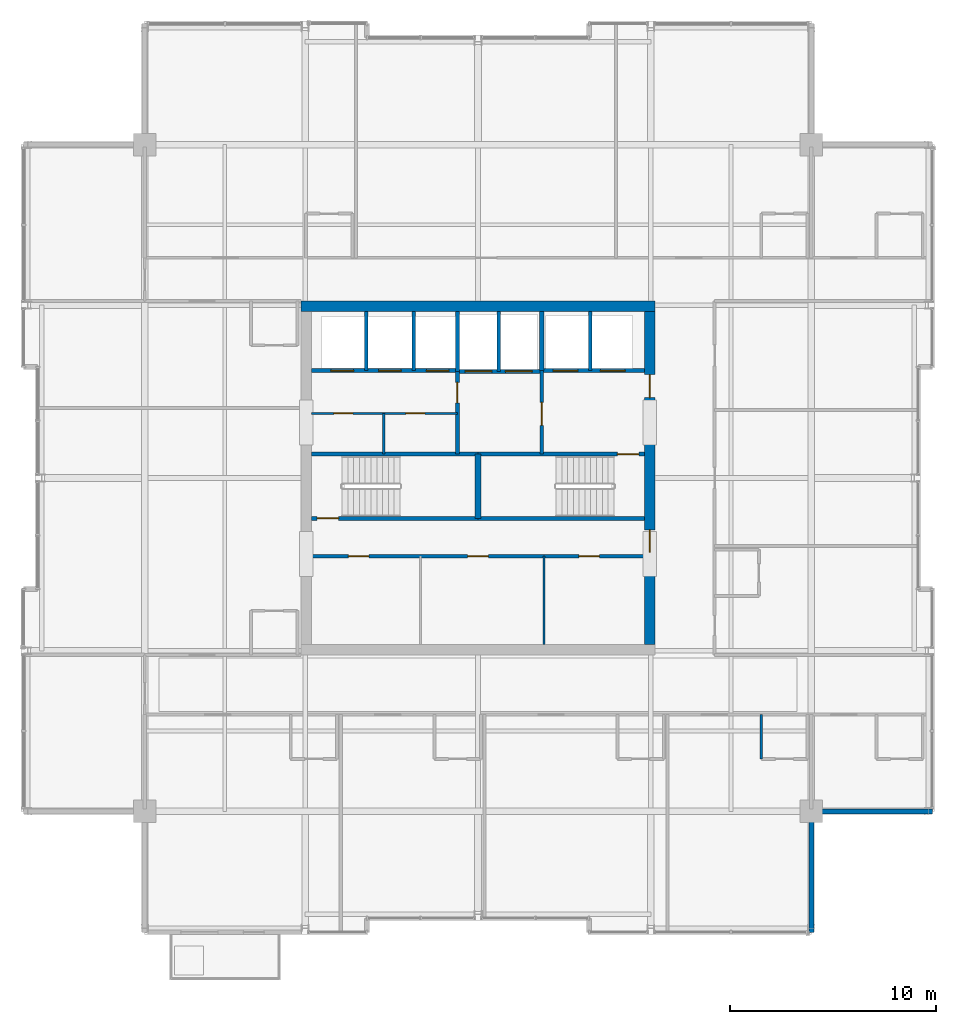
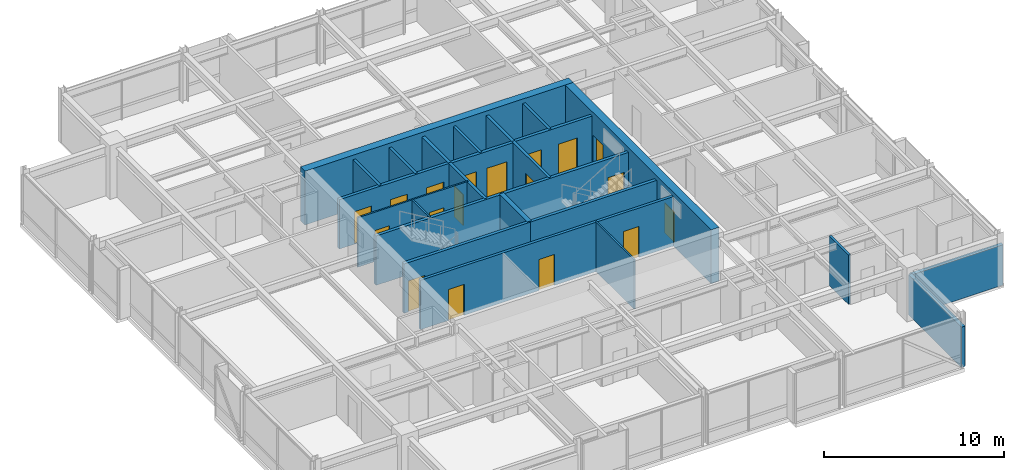
# One storey, part 29 of 34: 25 walls, 18 doors, 18 openings.
"""IFC4 building model written with IfcOpenShell, lengths in metres."""

from ifc_helpers import new_model, si_unit, direction, frame, frame_2d, origin, place, context, subcontext, project, spatial, rectangle, extrude, material, layer, layer_set, type_object, element, fill, save


model = new_model("IFC4")

# Units and contexts
model_context = context("Model", 3, precision=1e-05, world=origin(), true_north=direction((0.0, 1.0)))
body_context = subcontext(model_context, "Body", "Model", "MODEL_VIEW")
ifc_project = project(units=[si_unit("LENGTHUNIT", "METRE"), si_unit("AREAUNIT", "SQUARE_METRE"), si_unit("VOLUMEUNIT", "CUBIC_METRE"), si_unit("PLANEANGLEUNIT", "RADIAN"), si_unit("MASSUNIT", "GRAM", prefix="KILO")], contexts=[model_context])

# Site, building, storey
site_placement = place(None, origin())
site = spatial("IfcSite", under=ifc_project, at=site_placement, CompositionType="ELEMENT")
building_placement = place(site_placement, origin())
building = spatial("IfcBuilding", under=site, at=building_placement, Name="Drelvath Grand Hotel", CompositionType="ELEMENT")
storey_placement = place(building_placement, frame((0.0, 0.0, 290.550048828125)))
storey = spatial("IfcBuildingStorey", under=building, at=storey_placement, Name="L76", CompositionType="ELEMENT", Elevation=290.550048828125)

# Wall, openings, doors
ifc_material_1 = material(Name="Gypsum Partition Board")
ifc_layer_1 = layer(ifc_material_1, 0.10009765625)
ifc_layer_set_1 = layer_set([ifc_layer_1], Name="Gypsum Partition Board")
wall_type_1 = type_object("IfcWallType", Name="Core Closet Partition 100", PredefinedType="PARTITIONING", material=ifc_layer_set_1)
wall_1_placement = place(storey_placement, frame((-8.10009765625, 30.139892578125, 0.0), z_axis=(0.0, 0.0, 1.0), x_axis=(1.0, 0.0, 0.0)))
wall_1 = element("IfcWall", 1, at=wall_1_placement, inside=storey, type_object=wall_type_1, Name="L76 High-Rise Lobby Closet Wall", PredefinedType="PARTITIONING", context=body_context, shape_type="SweptSolid", body=[
    extrude(rectangle(XDim=7.10009765625, YDim=0.10009765625, at=frame_2d((3.550048828125, 0.0))), origin(), (0.0, 0.0, 1.0), 3.349853515625),
])
opening_1_placement = place(wall_1_placement, frame((1.10009765625, 0.0, 0.0)))
opening_1 = element("IfcOpeningElement", 2, at=opening_1_placement, cuts=wall_1, Name="Opening D-T5G3-013", PredefinedType="OPENING", context=body_context, shape_type="SweptSolid", body=[
    extrude(rectangle(XDim=0.919921875, YDim=2.10009765625, at=frame_2d((0.4599609375, 1.050048828125))), frame((0.0, 0.06005859375, 0.0), z_axis=(0.0, -1.0, 0.0), x_axis=(1.0, 0.0, 0.0)), (0.0, 0.0, 1.0), 0.1201171875),
])
opening_2_placement = place(wall_1_placement, frame((4.60009765625, 0.0, 0.0)))
opening_2 = element("IfcOpeningElement", 3, at=opening_2_placement, cuts=wall_1, Name="Opening D-T5G3-014", PredefinedType="OPENING", context=body_context, shape_type="SweptSolid", body=[
    extrude(rectangle(XDim=0.919921875, YDim=2.10009765625, at=frame_2d((0.4599609375, 1.050048828125))), frame((0.0, 0.06005859375, 0.0), z_axis=(0.0, -1.0, 0.0), x_axis=(1.0, 0.0, 0.0)), (0.0, 0.0, 1.0), 0.1201171875),
])
ifc_material_2 = material(Name="Painted Steel S275", Category="steel")
door_type_1 = type_object("IfcDoorType", Name="Staff Utility Door 920x2100", OperationType="NOTDEFINED", PredefinedType="DOOR", material=ifc_material_2)
door_1_placement = place(opening_1_placement, origin())
door_1 = element("IfcDoor", 4, at=door_1_placement, inside=storey, type_object=door_type_1, Name="L76 Electrical Closet Door", OperationType="SINGLE_SWING_RIGHT", OverallHeight=2.10009765625, OverallWidth=0.919921875, PredefinedType="DOOR", context=body_context, shape_type="SweptSolid", body=[
    extrude(rectangle(XDim=0.919921875, YDim=2.10009765625, at=frame_2d((0.4599609375, 1.050048828125))), frame((0.0, 0.02490234375, 0.0), z_axis=(0.0, -1.0, 0.0), x_axis=(1.0, 0.0, 0.0)), (0.0, 0.0, 1.0), 0.050048828125),
])
fill(opening_1, door_1)
door_2_placement = place(opening_2_placement, origin())
door_2 = element("IfcDoor", 5, at=door_2_placement, inside=storey, type_object=door_type_1, Name="L76 Telecom Room Door", OperationType="SINGLE_SWING_LEFT", OverallHeight=2.10009765625, OverallWidth=0.919921875, PredefinedType="DOOR", context=body_context, shape_type="SweptSolid", body=[
    extrude(rectangle(XDim=0.919921875, YDim=2.10009765625, at=frame_2d((0.4599609375, 1.050048828125))), frame((0.0, 0.02490234375, 0.0), z_axis=(0.0, -1.0, 0.0), x_axis=(1.0, 0.0, 0.0)), (0.0, 0.0, 1.0), 0.050048828125),
])
fill(opening_2, door_2)

# Walls
wall_2_placement = place(storey_placement, frame((-4.580078125, 28.159912109375, 0.0), z_axis=(0.0, 0.0, 1.0), x_axis=(0.0, 1.0, 0.0)))
element("IfcWall", 6, at=wall_2_placement, inside=storey, type_object=wall_type_1, Name="L76 Core Closet Split 1", PredefinedType="PARTITIONING", context=body_context, shape_type="SweptSolid", body=[
    extrude(rectangle(XDim=1.97998046875, YDim=0.10009765625, at=frame_2d((0.989990234375, 0.0))), origin(), (0.0, 0.0, 1.0), 3.349853515625),
])
wall_3_placement = place(storey_placement, frame((3.199951171875, 18.89990234375, 0.0), z_axis=(0.0, 0.0, 1.0), x_axis=(0.0, 1.0, 0.0)))
element("IfcWall", 7, at=wall_3_placement, inside=storey, type_object=wall_type_1, Name="L76 Upper Core Split 1B", PredefinedType="PARTITIONING", context=body_context, shape_type="SweptSolid", body=[
    extrude(rectangle(XDim=4.300048828125, YDim=0.10009765625, at=frame_2d((2.14990234375, 0.0))), origin(), (0.0, 0.0, 1.0), 3.349853515625),
])

# Wall, openings, doors
ifc_material_3 = material(Name="Concrete C40/50", Category="concrete")
ifc_layer_2 = layer(ifc_material_3, 0.199951171875)
ifc_layer_set_2 = layer_set([ifc_layer_2], Name="Concrete C40/50")
wall_type_2 = type_object("IfcWallType", Name="Core Hoistway Fire Wall 200", PredefinedType="SOLIDWALL", material=ifc_layer_set_2)
wall_4_placement = place(storey_placement, frame((3.10009765625, 32.219970703125, 0.0), z_axis=(0.0, 0.0, 1.0), x_axis=(1.0, 0.0, 0.0)))
wall_4 = element("IfcWall", 8, at=wall_4_placement, inside=storey, type_object=wall_type_2, Name="L76 FSAE Hoistway Front Wall", PredefinedType="SOLIDWALL", context=body_context, shape_type="SweptSolid", body=[
    extrude(rectangle(XDim=5.0, YDim=0.199951171875, at=frame_2d((2.5, 0.0))), origin(), (0.0, 0.0, 1.0), 3.349853515625),
])
opening_3_placement = place(wall_4_placement, frame((0.550048828125, 0.0, 0.0)))
opening_3 = element("IfcOpeningElement", 9, at=opening_3_placement, cuts=wall_4, Name="Opening LD-FSAE-1", PredefinedType="OPENING", context=body_context, shape_type="SweptSolid", body=[
    extrude(rectangle(XDim=1.199951171875, YDim=2.199951171875, at=frame_2d((0.60009765625, 1.10009765625))), frame((0.0, 0.10986328125, 0.0), z_axis=(0.0, -1.0, 0.0), x_axis=(1.0, 0.0, 0.0)), (0.0, 0.0, 1.0), 0.219970703125),
])
opening_4_placement = place(wall_4_placement, frame((2.85009765625, 0.0, 0.0)))
opening_4 = element("IfcOpeningElement", 10, at=opening_4_placement, cuts=wall_4, Name="Opening LD-FSAE-2", PredefinedType="OPENING", context=body_context, shape_type="SweptSolid", body=[
    extrude(rectangle(XDim=1.199951171875, YDim=2.199951171875, at=frame_2d((0.60009765625, 1.10009765625))), frame((0.0, 0.10986328125, 0.0), z_axis=(0.0, -1.0, 0.0), x_axis=(1.0, 0.0, 0.0)), (0.0, 0.0, 1.0), 0.219970703125),
])
ifc_material_4 = material(Name="Stainless Steel S355", Category="steel")
door_type_2 = type_object("IfcDoorType", Name="FSAE Lift Sliding Landing Door 1200x2200", OperationType="NOTDEFINED", PredefinedType="DOOR", material=ifc_material_4)
door_3_placement = place(opening_3_placement, origin())
door_3 = element("IfcDoor", 11, at=door_3_placement, inside=storey, type_object=door_type_2, Name="L76 Lift FSAE-1 Landing Door", OperationType="SLIDING_TO_LEFT", OverallHeight=2.199951171875, OverallWidth=1.199951171875, PredefinedType="DOOR", context=body_context, shape_type="SweptSolid", body=[
    extrude(rectangle(XDim=1.199951171875, YDim=2.199951171875, at=frame_2d((0.60009765625, 1.10009765625))), frame((0.0, 0.02490234375, 0.0), z_axis=(0.0, -1.0, 0.0), x_axis=(1.0, 0.0, 0.0)), (0.0, 0.0, 1.0), 0.050048828125),
])
fill(opening_3, door_3)
door_4_placement = place(opening_4_placement, origin())
door_4 = element("IfcDoor", 12, at=door_4_placement, inside=storey, type_object=door_type_2, Name="L76 Lift FSAE-2 Landing Door", OperationType="SLIDING_TO_LEFT", OverallHeight=2.199951171875, OverallWidth=1.199951171875, PredefinedType="DOOR", context=body_context, shape_type="SweptSolid", body=[
    extrude(rectangle(XDim=1.199951171875, YDim=2.199951171875, at=frame_2d((0.60009765625, 1.10009765625))), frame((0.0, 0.02490234375, 0.0), z_axis=(0.0, -1.0, 0.0), x_axis=(1.0, 0.0, 0.0)), (0.0, 0.0, 1.0), 0.050048828125),
])
fill(opening_4, door_4)

# Wall
wall_5_placement = place(storey_placement, frame((3.10009765625, 32.219970703125, 0.0), z_axis=(0.0, 0.0, 1.0), x_axis=(0.0, 1.0, 0.0)))
element("IfcWall", 13, at=wall_5_placement, inside=storey, type_object=wall_type_2, Name="L76 FSAE Hoistway West Wall", PredefinedType="SOLIDWALL", context=body_context, shape_type="SweptSolid", body=[
    extrude(rectangle(XDim=2.880126953125, YDim=0.199951171875, at=frame_2d((1.43994140625, 0.0))), origin(), (0.0, 0.0, 1.0), 3.349853515625),
])

# Wall, openings, doors
wall_6_placement = place(storey_placement, frame((-1.0, 32.179931640625, 0.0), z_axis=(0.0, 0.0, 1.0), x_axis=(1.0, 0.0, 0.0)))
wall_6 = element("IfcWall", 14, at=wall_6_placement, inside=storey, type_object=wall_type_2, Name="L76 Service Lift Hoistway Wall", PredefinedType="SOLIDWALL", context=body_context, shape_type="SweptSolid", body=[
    extrude(rectangle(XDim=4.10009765625, YDim=0.199951171875, at=frame_2d((2.050048828125, 0.0))), origin(), (0.0, 0.0, 1.0), 3.349853515625),
])
opening_5_placement = place(wall_6_placement, frame((0.3701171875, 0.0, 0.0)))
opening_5 = element("IfcOpeningElement", 15, at=opening_5_placement, cuts=wall_6, Name="Opening LD-SV-2", PredefinedType="OPENING", context=body_context, shape_type="SweptSolid", body=[
    extrude(rectangle(XDim=1.300048828125, YDim=2.199951171875, at=frame_2d((0.64990234375, 1.10009765625))), frame((0.0, 0.10986328125, 0.0), z_axis=(0.0, -1.0, 0.0), x_axis=(1.0, 0.0, 0.0)), (0.0, 0.0, 1.0), 0.219970703125),
])
opening_6_placement = place(wall_6_placement, frame((2.330078125, 0.0, 0.0)))
opening_6 = element("IfcOpeningElement", 16, at=opening_6_placement, cuts=wall_6, Name="Opening LD-SV-1", PredefinedType="OPENING", context=body_context, shape_type="SweptSolid", body=[
    extrude(rectangle(XDim=1.300048828125, YDim=2.199951171875, at=frame_2d((0.64990234375, 1.10009765625))), frame((0.0, 0.10986328125, 0.0), z_axis=(0.0, -1.0, 0.0), x_axis=(1.0, 0.0, 0.0)), (0.0, 0.0, 1.0), 0.219970703125),
])
door_type_3 = type_object("IfcDoorType", Name="Service Lift Sliding Landing Door 1300x2200", OperationType="NOTDEFINED", PredefinedType="DOOR", material=ifc_material_4)
door_5_placement = place(opening_5_placement, origin())
door_5 = element("IfcDoor", 17, at=door_5_placement, inside=storey, type_object=door_type_3, Name="L76 Lift SV-2 Landing Door", OperationType="SLIDING_TO_LEFT", OverallHeight=2.199951171875, OverallWidth=1.300048828125, PredefinedType="DOOR", context=body_context, shape_type="SweptSolid", body=[
    extrude(rectangle(XDim=1.300048828125, YDim=2.199951171875, at=frame_2d((0.64990234375, 1.10009765625))), frame((0.0, 0.02490234375, 0.0), z_axis=(0.0, -1.0, 0.0), x_axis=(1.0, 0.0, 0.0)), (0.0, 0.0, 1.0), 0.050048828125),
])
fill(opening_5, door_5)
door_6_placement = place(opening_6_placement, origin())
door_6 = element("IfcDoor", 18, at=door_6_placement, inside=storey, type_object=door_type_3, Name="L76 Lift SV-1 Landing Door", OperationType="SLIDING_TO_LEFT", OverallHeight=2.199951171875, OverallWidth=1.300048828125, PredefinedType="DOOR", context=body_context, shape_type="SweptSolid", body=[
    extrude(rectangle(XDim=1.300048828125, YDim=2.199951171875, at=frame_2d((0.64990234375, 1.10009765625))), frame((0.0, 0.02490234375, 0.0), z_axis=(0.0, -1.0, 0.0), x_axis=(1.0, 0.0, 0.0)), (0.0, 0.0, 1.0), 0.050048828125),
])
fill(opening_6, door_6)

# Wall
wall_7_placement = place(storey_placement, frame((-1.0, 32.179931640625, 0.0), z_axis=(0.0, 0.0, 1.0), x_axis=(0.0, 1.0, 0.0)))
element("IfcWall", 19, at=wall_7_placement, inside=storey, type_object=wall_type_2, Name="L76 Service Lift West Wall", PredefinedType="SOLIDWALL", context=body_context, shape_type="SweptSolid", body=[
    extrude(rectangle(XDim=2.920166015625, YDim=0.199951171875, at=frame_2d((1.4599609375, 0.0))), origin(), (0.0, 0.0, 1.0), 3.349853515625),
])

# Wall, openings, doors
wall_8_placement = place(storey_placement, frame((-8.10009765625, 32.219970703125, 0.0), z_axis=(0.0, 0.0, 1.0), x_axis=(1.0, 0.0, 0.0)))
wall_8 = element("IfcWall", 20, at=wall_8_placement, inside=storey, type_object=wall_type_2, Name="L76 Bank 3 Hoistway Wall", PredefinedType="SOLIDWALL", context=body_context, shape_type="SweptSolid", body=[
    extrude(rectangle(XDim=7.10009765625, YDim=0.199951171875, at=frame_2d((3.550048828125, 0.0))), origin(), (0.0, 0.0, 1.0), 3.349853515625),
])
opening_7_placement = place(wall_8_placement, frame((0.949951171875, 0.0, 0.0)))
opening_7 = element("IfcOpeningElement", 21, at=opening_7_placement, cuts=wall_8, Name="Opening LD-PE-7", PredefinedType="OPENING", context=body_context, shape_type="SweptSolid", body=[
    extrude(rectangle(XDim=1.10009765625, YDim=2.199951171875, at=frame_2d((0.550048828125, 1.10009765625))), frame((0.0, 0.10986328125, 0.0), z_axis=(0.0, -1.0, 0.0), x_axis=(1.0, 0.0, 0.0)), (0.0, 0.0, 1.0), 0.219970703125),
])
opening_8_placement = place(wall_8_placement, frame((3.27001953125, 0.0, 0.0)))
opening_8 = element("IfcOpeningElement", 22, at=opening_8_placement, cuts=wall_8, Name="Opening LD-PE-8", PredefinedType="OPENING", context=body_context, shape_type="SweptSolid", body=[
    extrude(rectangle(XDim=1.10009765625, YDim=2.199951171875, at=frame_2d((0.550048828125, 1.10009765625))), frame((0.0, 0.10986328125, 0.0), z_axis=(0.0, -1.0, 0.0), x_axis=(1.0, 0.0, 0.0)), (0.0, 0.0, 1.0), 0.219970703125),
])
opening_9_placement = place(wall_8_placement, frame((5.590087890625, 0.0, 0.0)))
opening_9 = element("IfcOpeningElement", 23, at=opening_9_placement, cuts=wall_8, Name="Opening LD-PE-9", PredefinedType="OPENING", context=body_context, shape_type="SweptSolid", body=[
    extrude(rectangle(XDim=1.10009765625, YDim=2.199951171875, at=frame_2d((0.550048828125, 1.10009765625))), frame((0.0, 0.10986328125, 0.0), z_axis=(0.0, -1.0, 0.0), x_axis=(1.0, 0.0, 0.0)), (0.0, 0.0, 1.0), 0.219970703125),
])
door_type_4 = type_object("IfcDoorType", Name="Passenger Lift Sliding Landing Door 1100x2200", OperationType="NOTDEFINED", PredefinedType="DOOR", material=ifc_material_4)
door_7_placement = place(opening_7_placement, origin())
door_7 = element("IfcDoor", 24, at=door_7_placement, inside=storey, type_object=door_type_4, Name="L76 Lift PE-7 Landing Door", OperationType="SLIDING_TO_LEFT", OverallHeight=2.199951171875, OverallWidth=1.10009765625, PredefinedType="DOOR", context=body_context, shape_type="SweptSolid", body=[
    extrude(rectangle(XDim=1.10009765625, YDim=2.199951171875, at=frame_2d((0.550048828125, 1.10009765625))), frame((0.0, 0.02490234375, 0.0), z_axis=(0.0, -1.0, 0.0), x_axis=(1.0, 0.0, 0.0)), (0.0, 0.0, 1.0), 0.050048828125),
])
fill(opening_7, door_7)
door_8_placement = place(opening_8_placement, origin())
door_8 = element("IfcDoor", 25, at=door_8_placement, inside=storey, type_object=door_type_4, Name="L76 Lift PE-8 Landing Door", OperationType="SLIDING_TO_LEFT", OverallHeight=2.199951171875, OverallWidth=1.10009765625, PredefinedType="DOOR", context=body_context, shape_type="SweptSolid", body=[
    extrude(rectangle(XDim=1.10009765625, YDim=2.199951171875, at=frame_2d((0.550048828125, 1.10009765625))), frame((0.0, 0.02490234375, 0.0), z_axis=(0.0, -1.0, 0.0), x_axis=(1.0, 0.0, 0.0)), (0.0, 0.0, 1.0), 0.050048828125),
])
fill(opening_8, door_8)
door_9_placement = place(opening_9_placement, origin())
door_9 = element("IfcDoor", 26, at=door_9_placement, inside=storey, type_object=door_type_4, Name="L76 Lift PE-9 Landing Door", OperationType="SLIDING_TO_LEFT", OverallHeight=2.199951171875, OverallWidth=1.10009765625, PredefinedType="DOOR", context=body_context, shape_type="SweptSolid", body=[
    extrude(rectangle(XDim=1.10009765625, YDim=2.199951171875, at=frame_2d((0.550048828125, 1.10009765625))), frame((0.0, 0.02490234375, 0.0), z_axis=(0.0, -1.0, 0.0), x_axis=(1.0, 0.0, 0.0)), (0.0, 0.0, 1.0), 0.050048828125),
])
fill(opening_9, door_9)

# Wall, opening, door
ifc_layer_3 = layer(ifc_material_3, 0.199951171875)
ifc_layer_set_3 = layer_set([ifc_layer_3], Name="Concrete C40/50")
wall_type_3 = type_object("IfcWallType", Name="Core Shaft Fire Wall 200", PredefinedType="SOLIDWALL", material=ifc_layer_set_3)
wall_9_placement = place(storey_placement, frame((-8.10009765625, 25.0400390625, 0.0), z_axis=(0.0, 0.0, 1.0), x_axis=(1.0, 0.0, 0.0)))
wall_9 = element("IfcWall", 27, at=wall_9_placement, inside=storey, type_object=wall_type_3, Name="L76 Stair ST-1 South Wall", PredefinedType="SOLIDWALL", context=body_context, shape_type="SweptSolid", body=[
    extrude(rectangle(XDim=8.10009765625, YDim=0.199951171875, at=frame_2d((4.050048828125, 0.0))), origin(), (0.0, 0.0, 1.0), 3.349853515625),
])
opening_10_placement = place(wall_9_placement, frame((0.280029296875, 0.0, 0.0)))
opening_10 = element("IfcOpeningElement", 28, at=opening_10_placement, cuts=wall_9, Name="Opening D-T5G3-001", PredefinedType="OPENING", context=body_context, shape_type="SweptSolid", body=[
    extrude(rectangle(XDim=1.050048828125, YDim=2.10009765625, at=frame_2d((0.52490234375, 1.050048828125))), frame((0.0, 0.10986328125, 0.0), z_axis=(0.0, -1.0, 0.0), x_axis=(1.0, 0.0, 0.0)), (0.0, 0.0, 1.0), 0.219970703125),
])
door_type_5 = type_object("IfcDoorType", Name="Tower Stairwell Fire Door 1050x2100", OperationType="NOTDEFINED", PredefinedType="DOOR", material=ifc_material_2)
door_10_placement = place(opening_10_placement, origin())
door_10 = element("IfcDoor", 29, at=door_10_placement, inside=storey, type_object=door_type_5, Name="L76 Exit Stair ST-1 Door", OperationType="SINGLE_SWING_LEFT", OverallHeight=2.10009765625, OverallWidth=1.050048828125, PredefinedType="DOOR", context=body_context, shape_type="SweptSolid", body=[
    extrude(rectangle(XDim=1.050048828125, YDim=2.10009765625, at=frame_2d((0.52490234375, 1.050048828125))), frame((0.0, 0.02490234375, 0.0), z_axis=(0.0, -1.0, 0.0), x_axis=(1.0, 0.0, 0.0)), (0.0, 0.0, 1.0), 0.050048828125),
])
fill(opening_10, door_10)

# Walls
for number, where, z_axis, x_axis, name in (
    (30, (-8.10009765625, 28.159912109375, 0.0), (0.0, 0.0, 1.0), (1.0, 0.0, 0.0), "L76 Stair ST-1 North Wall"),
    (31, (0.0, 25.0400390625, 0.0), (0.0, 0.0, 1.0), (1.0, 0.0, 0.0), "L76 Stair ST-2 South Wall"),
):
    element("IfcWall", number, at=place(storey_placement, frame(where, z_axis=z_axis, x_axis=x_axis)), inside=storey, type_object=wall_type_3, Name=name, PredefinedType="SOLIDWALL", context=body_context, shape_type="SweptSolid", body=[
        extrude(rectangle(XDim=8.10009765625, YDim=0.199951171875, at=frame_2d((4.050048828125, 0.0))), origin(), (0.0, 0.0, 1.0), 3.349853515625),
    ])

# Wall, opening, door
wall_10_placement = place(storey_placement, frame((8.10009765625, 28.159912109375, 0.0), z_axis=(0.0, 0.0, 1.0), x_axis=(-1.0, 0.0, 0.0)))
wall_10 = element("IfcWall", 32, at=wall_10_placement, inside=storey, type_object=wall_type_3, Name="L76 Stair ST-2 North Wall", PredefinedType="SOLIDWALL", context=body_context, shape_type="SweptSolid", body=[
    extrude(rectangle(XDim=8.10009765625, YDim=0.199951171875, at=frame_2d((4.050048828125, 0.0))), origin(), (0.0, 0.0, 1.0), 3.349853515625),
])
opening_11_placement = place(wall_10_placement, frame((0.280029296875, 0.0, 0.0)))
opening_11 = element("IfcOpeningElement", 33, at=opening_11_placement, cuts=wall_10, Name="Opening D-T5G3-002", PredefinedType="OPENING", context=body_context, shape_type="SweptSolid", body=[
    extrude(rectangle(XDim=1.050048828125, YDim=2.10009765625, at=frame_2d((0.52490234375, 1.050048828125))), frame((0.0, 0.10986328125, 0.0), z_axis=(0.0, -1.0, 0.0), x_axis=(1.0, 0.0, 0.0)), (0.0, 0.0, 1.0), 0.219970703125),
])
door_11_placement = place(opening_11_placement, origin())
door_11 = element("IfcDoor", 34, at=door_11_placement, inside=storey, type_object=door_type_5, Name="L76 Exit Stair ST-2 Door", OperationType="SINGLE_SWING_LEFT", OverallHeight=2.10009765625, OverallWidth=1.050048828125, PredefinedType="DOOR", context=body_context, shape_type="SweptSolid", body=[
    extrude(rectangle(XDim=1.050048828125, YDim=2.10009765625, at=frame_2d((0.52490234375, 1.050048828125))), frame((0.0, 0.02490234375, 0.0), z_axis=(0.0, -1.0, 0.0), x_axis=(1.0, 0.0, 0.0)), (0.0, 0.0, 1.0), 0.050048828125),
])
fill(opening_11, door_11)

# Walls
ifc_layer_4 = layer(ifc_material_3, 0.300048828125)
ifc_layer_set_4 = layer_set([ifc_layer_4], Name="Concrete C40/50")
wall_type_4 = type_object("IfcWallType", Name="Core Shaft Fire Wall 300", PredefinedType="SOLIDWALL", material=ifc_layer_set_4)
wall_11_placement = place(storey_placement, frame((0.0, 25.0400390625, 0.0), z_axis=(0.0, 0.0, 1.0), x_axis=(0.0, 1.0, 0.0)))
element("IfcWall", 35, at=wall_11_placement, inside=storey, type_object=wall_type_4, Name="L76 Core Stair Divider Wall", PredefinedType="SOLIDWALL", context=body_context, shape_type="SweptSolid", body=[
    extrude(rectangle(XDim=3.119873046875, YDim=0.300048828125, at=frame_2d((1.56005859375, 0.0))), origin(), (0.0, 0.0, 1.0), 3.349853515625),
])
ifc_material_5 = material(Name="Gypsum Fireboard Partition")
ifc_layer_5 = layer(ifc_material_5, 0.1650390625)
ifc_layer_set_5 = layer_set([ifc_layer_5], Name="Gypsum Fireboard Partition")
wall_type_5 = type_object("IfcWallType", Name="Core Shaft Partition 165", PredefinedType="PARTITIONING", material=ifc_layer_set_5)
wall_12_placement = place(storey_placement, frame((5.449951171875, 32.219970703125, 0.0), z_axis=(0.0, 0.0, 1.0), x_axis=(0.0, 1.0, 0.0)))
element("IfcWall", 36, at=wall_12_placement, inside=storey, type_object=wall_type_5, Name="L76 FSAE Hoistway Divider", PredefinedType="PARTITIONING", context=body_context, shape_type="SweptSolid", body=[
    extrude(rectangle(XDim=2.880126953125, YDim=0.1650390625, at=frame_2d((1.43994140625, 0.0))), origin(), (0.0, 0.0, 1.0), 3.349853515625),
])
wall_13_placement = place(storey_placement, frame((1.0, 32.179931640625, 0.0), z_axis=(0.0, 0.0, 1.0), x_axis=(0.0, 1.0, 0.0)))
element("IfcWall", 37, at=wall_13_placement, inside=storey, type_object=wall_type_5, Name="L76 Service Lift Divider", PredefinedType="PARTITIONING", context=body_context, shape_type="SweptSolid", body=[
    extrude(rectangle(XDim=2.920166015625, YDim=0.1650390625, at=frame_2d((1.4599609375, 0.0))), origin(), (0.0, 0.0, 1.0), 3.349853515625),
])
for number, where, z_axis, x_axis, name in (
    (38, (-5.43994140625, 32.219970703125, 0.0), (0.0, 0.0, 1.0), (0.0, 1.0, 0.0), "L76 Lift PE-7/8 Divider"),
    (39, (-3.1201171875, 32.219970703125, 0.0), (0.0, 0.0, 1.0), (0.0, 1.0, 0.0), "L76 Lift PE-8/9 Divider"),
):
    element("IfcWall", number, at=place(storey_placement, frame(where, z_axis=z_axis, x_axis=x_axis)), inside=storey, type_object=wall_type_5, Name=name, PredefinedType="PARTITIONING", context=body_context, shape_type="SweptSolid", body=[
        extrude(rectangle(XDim=2.880126953125, YDim=0.1650390625, at=frame_2d((1.43994140625, 0.0))), origin(), (0.0, 0.0, 1.0), 3.349853515625),
    ])
ifc_material_6 = material(Name="Moisture-Resistant Gypsum Board")
ifc_layer_6 = layer(ifc_material_6, 0.139892578125)
ifc_layer_set_6 = layer_set([ifc_layer_6], Name="Moisture-Resistant Gypsum Board")
wall_type_6 = type_object("IfcWallType", Name="En-Suite Plumbing Wall 140", PredefinedType="PLUMBINGWALL", material=ifc_layer_set_6)
wall_14_placement = place(storey_placement, frame((13.77001953125, 15.5, 0.0), z_axis=(0.0, 0.0, 1.0), x_axis=(0.0, -1.0, 0.0)))
element("IfcWall", 40, at=wall_14_placement, inside=storey, type_object=wall_type_6, Name="L76 En-Suite Left Wall", PredefinedType="PLUMBINGWALL", context=body_context, shape_type="SweptSolid", body=[
    extrude(rectangle(XDim=2.14990234375, YDim=0.139892578125, at=frame_2d((1.074951171875, 0.0))), origin(), (0.0, 0.0, 1.0), 3.349853515625),
])

# Wall, opening, door
ifc_layer_7 = layer(ifc_material_5, 0.179931640625)
ifc_layer_set_7 = layer_set([ifc_layer_7], Name="Gypsum Fireboard Partition")
wall_type_7 = type_object("IfcWallType", Name="FSAE Smoke Lobby Fire Wall 180", PredefinedType="SOLIDWALL", material=ifc_layer_set_7)
wall_15_placement = place(storey_placement, frame((3.10009765625, 28.159912109375, 0.0), z_axis=(0.0, 0.0, 1.0), x_axis=(0.0, 1.0, 0.0)))
wall_15 = element("IfcWall", 41, at=wall_15_placement, inside=storey, type_object=wall_type_7, Name="L76 FSAE Smoke Lobby West Wall", PredefinedType="SOLIDWALL", context=body_context, shape_type="SweptSolid", body=[
    extrude(rectangle(XDim=4.06005859375, YDim=0.179931640625, at=frame_2d((2.030029296875, 0.0))), origin(), (0.0, 0.0, 1.0), 3.349853515625),
])
opening_12_placement = place(wall_15_placement, frame((1.39990234375, 0.0, 0.0)))
opening_12 = element("IfcOpeningElement", 42, at=opening_12_placement, cuts=wall_15, Name="Opening D-T5G3-005", PredefinedType="OPENING", context=body_context, shape_type="SweptSolid", body=[
    extrude(rectangle(XDim=1.1201171875, YDim=2.10009765625, at=frame_2d((0.56005859375, 1.050048828125))), frame((0.0, 0.099853515625, 0.0), z_axis=(0.0, -1.0, 0.0), x_axis=(1.0, 0.0, 0.0)), (0.0, 0.0, 1.0), 0.199951171875),
])
door_type_6 = type_object("IfcDoorType", Name="FSAE Smoke Lobby Fire Door 1120x2100", OperationType="NOTDEFINED", PredefinedType="DOOR", material=ifc_material_2)
door_12_placement = place(opening_12_placement, origin())
door_12 = element("IfcDoor", 43, at=door_12_placement, inside=storey, type_object=door_type_6, Name="L76 FSAE Lobby Service Vestibule Door", OperationType="SINGLE_SWING_RIGHT", OverallHeight=2.10009765625, OverallWidth=1.1201171875, PredefinedType="DOOR", context=body_context, shape_type="SweptSolid", body=[
    extrude(rectangle(XDim=1.1201171875, YDim=2.10009765625, at=frame_2d((0.56005859375, 1.050048828125))), frame((0.0, 0.02490234375, 0.0), z_axis=(0.0, -1.0, 0.0), x_axis=(1.0, 0.0, 0.0)), (0.0, 0.0, 1.0), 0.050048828125),
])
fill(opening_12, door_12)

wall_16_placement = place(storey_placement, frame((-1.0, 28.159912109375, 0.0), z_axis=(0.0, 0.0, 1.0), x_axis=(0.0, 1.0, 0.0)))
wall_16 = element("IfcWall", 44, at=wall_16_placement, inside=storey, type_object=wall_type_7, Name="L76 Service Vestibule West Wall", PredefinedType="SOLIDWALL", context=body_context, shape_type="SweptSolid", body=[
    extrude(rectangle(XDim=4.02001953125, YDim=0.179931640625, at=frame_2d((2.010009765625, 0.0))), origin(), (0.0, 0.0, 1.0), 3.349853515625),
])
opening_13_placement = place(wall_16_placement, frame((2.489990234375, 0.0, 0.0)))
opening_13 = element("IfcOpeningElement", 45, at=opening_13_placement, cuts=wall_16, Name="Opening D-T5G3-009", PredefinedType="OPENING", context=body_context, shape_type="SweptSolid", body=[
    extrude(rectangle(XDim=1.0, YDim=2.10009765625, at=frame_2d((0.5, 1.050048828125))), frame((0.0, 0.099853515625, 0.0), z_axis=(0.0, -1.0, 0.0), x_axis=(1.0, 0.0, 0.0)), (0.0, 0.0, 1.0), 0.199951171875),
])
door_type_7 = type_object("IfcDoorType", Name="Core Service Fire Door 1000x2100", OperationType="NOTDEFINED", PredefinedType="DOOR", material=ifc_material_2)
door_13_placement = place(opening_13_placement, origin())
door_13 = element("IfcDoor", 46, at=door_13_placement, inside=storey, type_object=door_type_7, Name="L76 Service Vestibule West Door", OperationType="SINGLE_SWING_LEFT", OverallHeight=2.10009765625, OverallWidth=1.0, PredefinedType="DOOR", context=body_context, shape_type="SweptSolid", body=[
    extrude(rectangle(XDim=1.0, YDim=2.10009765625, at=frame_2d((0.5, 1.050048828125))), frame((0.0, 0.02490234375, 0.0), z_axis=(0.0, -1.0, 0.0), x_axis=(1.0, 0.0, 0.0)), (0.0, 0.0, 1.0), 0.050048828125),
])
fill(opening_13, door_13)

# Wall, openings, doors
wall_17_placement = place(storey_placement, frame((-8.10009765625, 23.199951171875, 0.0), z_axis=(0.0, 0.0, 1.0), x_axis=(1.0, 0.0, 0.0)))
wall_17 = element("IfcWall", 47, at=wall_17_placement, inside=storey, type_object=wall_type_7, Name="L76 Upper Reclaimed Core Wall", PredefinedType="SOLIDWALL", context=body_context, shape_type="SweptSolid", body=[
    extrude(rectangle(XDim=16.2001953125, YDim=0.179931640625, at=frame_2d((8.10009765625, 0.0))), origin(), (0.0, 0.0, 1.0), 3.349853515625),
])
opening_14_placement = place(wall_17_placement, frame((1.800048828125, 0.0, 0.0)))
opening_14 = element("IfcOpeningElement", 48, at=opening_14_placement, cuts=wall_17, Name="Opening D-T5G3-016", PredefinedType="OPENING", context=body_context, shape_type="SweptSolid", body=[
    extrude(rectangle(XDim=1.0, YDim=2.10009765625, at=frame_2d((0.5, 1.050048828125))), frame((0.0, 0.099853515625, 0.0), z_axis=(0.0, -1.0, 0.0), x_axis=(1.0, 0.0, 0.0)), (0.0, 0.0, 1.0), 0.199951171875),
])
opening_15_placement = place(wall_17_placement, frame((7.60009765625, 0.0, 0.0)))
opening_15 = element("IfcOpeningElement", 49, at=opening_15_placement, cuts=wall_17, Name="Opening D-T5G3-017", PredefinedType="OPENING", context=body_context, shape_type="SweptSolid", body=[
    extrude(rectangle(XDim=1.0, YDim=2.10009765625, at=frame_2d((0.5, 1.050048828125))), frame((0.0, 0.099853515625, 0.0), z_axis=(0.0, -1.0, 0.0), x_axis=(1.0, 0.0, 0.0)), (0.0, 0.0, 1.0), 0.199951171875),
])
opening_16_placement = place(wall_17_placement, frame((13.0, 0.0, 0.0)))
opening_16 = element("IfcOpeningElement", 50, at=opening_16_placement, cuts=wall_17, Name="Opening D-T5G3-018", PredefinedType="OPENING", context=body_context, shape_type="SweptSolid", body=[
    extrude(rectangle(XDim=1.0, YDim=2.10009765625, at=frame_2d((0.5, 1.050048828125))), frame((0.0, 0.099853515625, 0.0), z_axis=(0.0, -1.0, 0.0), x_axis=(1.0, 0.0, 0.0)), (0.0, 0.0, 1.0), 0.199951171875),
])
door_14_placement = place(opening_14_placement, origin())
door_14 = element("IfcDoor", 51, at=door_14_placement, inside=storey, type_object=door_type_7, Name="L76 Housekeeping Door", OperationType="SINGLE_SWING_LEFT", OverallHeight=2.10009765625, OverallWidth=1.0, PredefinedType="DOOR", context=body_context, shape_type="SweptSolid", body=[
    extrude(rectangle(XDim=1.0, YDim=2.10009765625, at=frame_2d((0.5, 1.050048828125))), frame((0.0, 0.02490234375, 0.0), z_axis=(0.0, -1.0, 0.0), x_axis=(1.0, 0.0, 0.0)), (0.0, 0.0, 1.0), 0.050048828125),
])
fill(opening_14, door_14)
door_15_placement = place(opening_15_placement, origin())
door_15 = element("IfcDoor", 52, at=door_15_placement, inside=storey, type_object=door_type_7, Name="L76 Prep Pantry Door", OperationType="SINGLE_SWING_RIGHT", OverallHeight=2.10009765625, OverallWidth=1.0, PredefinedType="DOOR", context=body_context, shape_type="SweptSolid", body=[
    extrude(rectangle(XDim=1.0, YDim=2.10009765625, at=frame_2d((0.5, 1.050048828125))), frame((0.0, 0.02490234375, 0.0), z_axis=(0.0, -1.0, 0.0), x_axis=(1.0, 0.0, 0.0)), (0.0, 0.0, 1.0), 0.050048828125),
])
fill(opening_15, door_15)
door_16_placement = place(opening_16_placement, origin())
door_16 = element("IfcDoor", 53, at=door_16_placement, inside=storey, type_object=door_type_7, Name="L76 AV Room Door", OperationType="SINGLE_SWING_LEFT", OverallHeight=2.10009765625, OverallWidth=1.0, PredefinedType="DOOR", context=body_context, shape_type="SweptSolid", body=[
    extrude(rectangle(XDim=1.0, YDim=2.10009765625, at=frame_2d((0.5, 1.050048828125))), frame((0.0, 0.02490234375, 0.0), z_axis=(0.0, -1.0, 0.0), x_axis=(1.0, 0.0, 0.0)), (0.0, 0.0, 1.0), 0.050048828125),
])
fill(opening_16, door_16)

# Walls
ifc_material_7 = material(Name="Pale-Metal Insulated Aluminium Spandrel Assembly", Category="aluminium")
ifc_layer_8 = layer(ifc_material_7, 0.239990234375)
ifc_layer_set_8 = layer_set([ifc_layer_8], Name="Pale-Metal Insulated Aluminium Spandrel Assembly")
wall_type_8 = type_object("IfcWallType", Name="Tower Insulated Metal Spandrel Closure Wall 240", PredefinedType="STANDARD", material=ifc_layer_set_8)
for number, where, z_axis, x_axis, name in (
    (54, (22.080078125, 10.800048828125, 0.0), (0.0, 0.0, 1.0), (-1.0, 0.0, 0.0), "L76 Notched Corner Return Spandrel Wall CSE1"),
    (55, (16.199951171875, 10.800048828125, 0.0), (0.0, 0.0, 1.0), (0.0, -1.0, 0.0), "L76 Notched Corner Return Spandrel Wall CSE2"),
):
    element("IfcWall", number, at=place(storey_placement, frame(where, z_axis=z_axis, x_axis=x_axis)), inside=storey, type_object=wall_type_8, Name=name, PredefinedType="STANDARD", context=body_context, shape_type="SweptSolid", body=[
        extrude(rectangle(XDim=5.880126953125, YDim=0.239990234375, at=frame_2d((2.93994140625, 0.0))), origin(), (0.0, 0.0, 1.0), 2.73876953125),
    ])
ifc_material_8 = material(Name="Concrete f'c 55 MPa", Category="concrete")
ifc_layer_9 = layer(ifc_material_8, 0.5)
ifc_layer_set_9 = layer_set([ifc_layer_9], Name="Concrete f'c 55 MPa")
wall_type_9 = type_object("IfcWallType", Name="Upper Core RC Shear Wall 500", PredefinedType="SHEAR", material=ifc_layer_set_9)
wall_18_placement = place(storey_placement, frame((-8.60009765625, 35.35009765625, 0.0), z_axis=(0.0, 0.0, 1.0), x_axis=(1.0, 0.0, 0.0)))
element("IfcWall", 56, at=wall_18_placement, inside=storey, type_object=wall_type_9, Name="L76 Central Core Shear Wall N", PredefinedType="SHEAR", context=body_context, shape_type="SweptSolid", body=[
    extrude(rectangle(XDim=17.2001953125, YDim=0.5, at=frame_2d((8.60009765625, 0.0))), origin(), (0.0, 0.0, 1.0), 3.64990234375),
])

# Wall, openings, doors
wall_19_placement = place(storey_placement, frame((8.35009765625, 35.10009765625, 0.0), z_axis=(0.0, 0.0, 1.0), x_axis=(0.0, -1.0, 0.0)))
wall_19 = element("IfcWall", 57, at=wall_19_placement, inside=storey, type_object=wall_type_9, Name="L76 Central Core Shear Wall E", PredefinedType="SHEAR", context=body_context, shape_type="SweptSolid", body=[
    extrude(rectangle(XDim=16.2001953125, YDim=0.5, at=frame_2d((8.10009765625, 0.0))), origin(), (0.0, 0.0, 1.0), 3.64990234375),
])
opening_17_placement = place(wall_19_placement, frame((3.080078125, 0.0, 0.0)))
opening_17 = element("IfcOpeningElement", 58, at=opening_17_placement, cuts=wall_19, Name="Opening D-T5G3-006", PredefinedType="OPENING", context=body_context, shape_type="SweptSolid", body=[
    extrude(rectangle(XDim=1.1201171875, YDim=2.10009765625, at=frame_2d((0.56005859375, 1.050048828125))), frame((0.0, 0.260009765625, 0.0), z_axis=(0.0, -1.0, 0.0), x_axis=(1.0, 0.0, 0.0)), (0.0, 0.0, 1.0), 0.52001953125),
])
opening_18_placement = place(wall_19_placement, frame((10.6201171875, 0.0, 0.0)))
opening_18 = element("IfcOpeningElement", 59, at=opening_18_placement, cuts=wall_19, Name="Opening D-T5G3-015", PredefinedType="OPENING", context=body_context, shape_type="SweptSolid", body=[
    extrude(rectangle(XDim=1.080078125, YDim=2.0400390625, at=frame_2d((0.5400390625, 1.02001953125))), frame((0.0, 0.260009765625, 0.0), z_axis=(0.0, -1.0, 0.0), x_axis=(1.0, 0.0, 0.0)), (0.0, 0.0, 1.0), 0.52001953125),
])
door_type_8 = type_object("IfcDoorType", Name="Core Corridor Fire Door 1080x2100", OperationType="NOTDEFINED", PredefinedType="DOOR", material=ifc_material_2)
door_17_placement = place(opening_18_placement, origin())
door_17 = element("IfcDoor", 60, at=door_17_placement, inside=storey, type_object=door_type_8, Name="L76 Core Passage East Door", OperationType="SINGLE_SWING_RIGHT", OverallHeight=2.0400390625, OverallWidth=1.080078125, PredefinedType="DOOR", context=body_context, shape_type="SweptSolid", body=[
    extrude(rectangle(XDim=1.080078125, YDim=2.0400390625, at=frame_2d((0.5400390625, 1.02001953125))), frame((0.0, 0.02490234375, 0.0), z_axis=(0.0, -1.0, 0.0), x_axis=(1.0, 0.0, 0.0)), (0.0, 0.0, 1.0), 0.050048828125),
])
fill(opening_18, door_17)
door_18_placement = place(opening_17_placement, origin())
door_18 = element("IfcDoor", 61, at=door_18_placement, inside=storey, type_object=door_type_6, Name="L76 FSAE Lobby East Corridor Door", OperationType="SINGLE_SWING_LEFT", OverallHeight=2.10009765625, OverallWidth=1.1201171875, PredefinedType="DOOR", context=body_context, shape_type="SweptSolid", body=[
    extrude(rectangle(XDim=1.1201171875, YDim=2.10009765625, at=frame_2d((0.56005859375, 1.050048828125))), frame((0.0, 0.02490234375, 0.0), z_axis=(0.0, -1.0, 0.0), x_axis=(1.0, 0.0, 0.0)), (0.0, 0.0, 1.0), 0.050048828125),
])
fill(opening_17, door_18)

save(model, "model.ifc")
